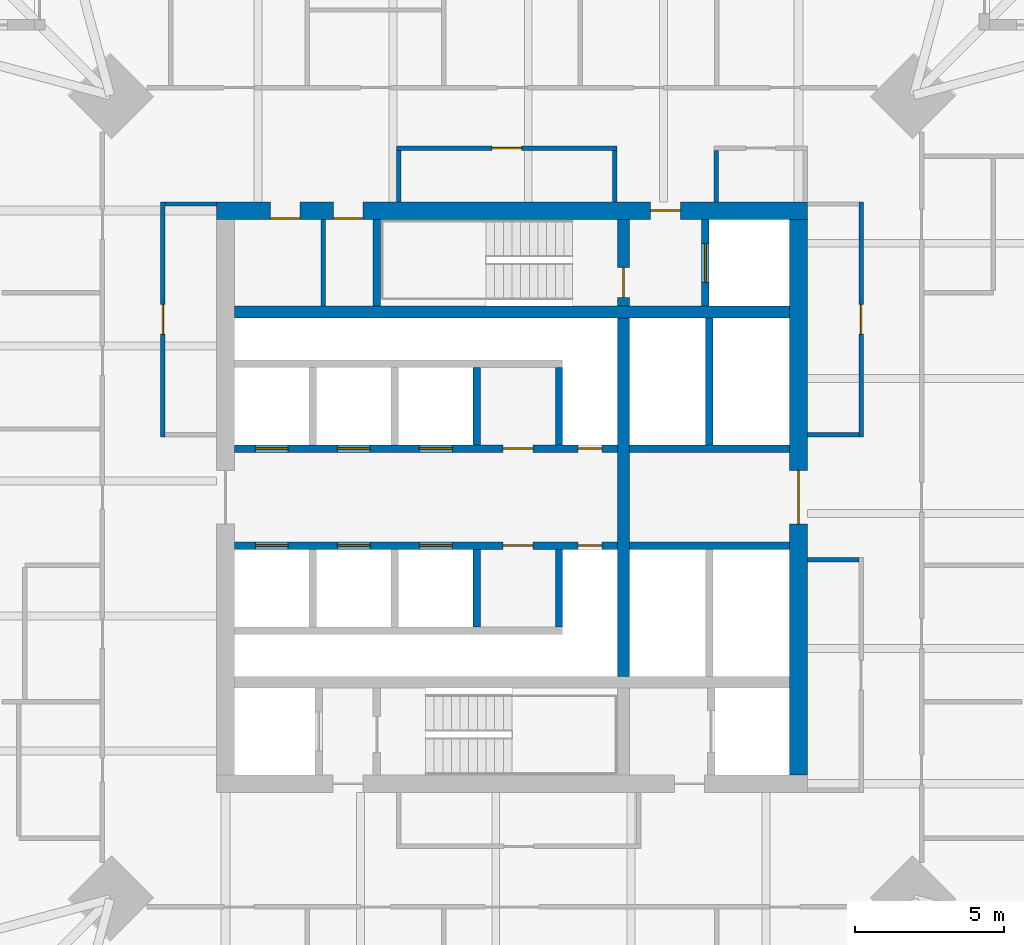
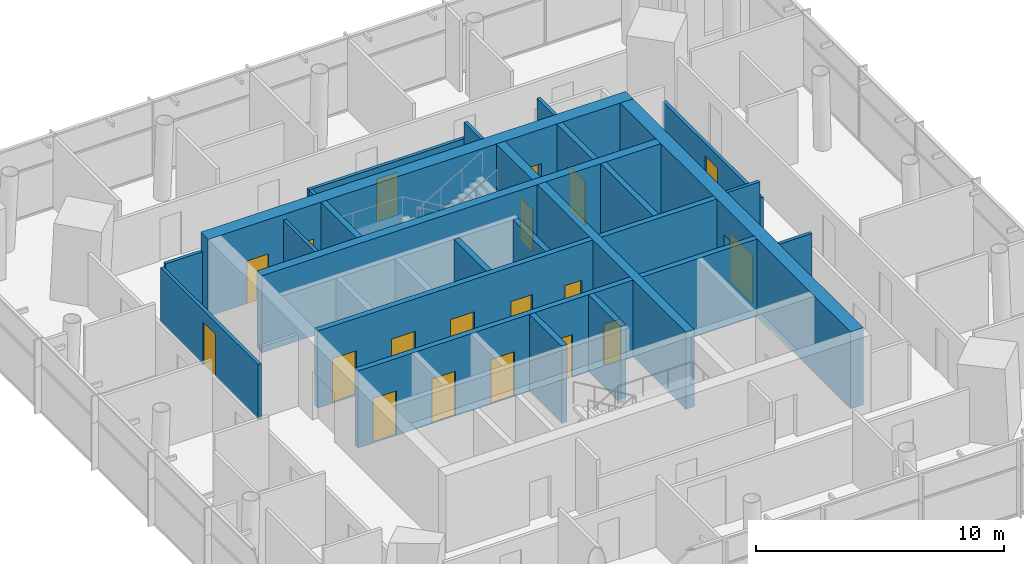
# One storey, part 7 of 10: 26 walls, 19 doors, 19 openings.
"""IFC4 building model written with IfcOpenShell, lengths in metres."""

from ifc_helpers import new_model, si_unit, direction, frame, frame_2d, origin, place, context, subcontext, project, spatial, rectangle, extrude, material, layer, layer_set, type_object, element, fill, save


model = new_model("IFC4")

# Units and contexts
model_context = context("Model", 3, precision=1e-05, world=origin(), true_north=direction((0.0, 1.0)))
body_context = subcontext(model_context, "Body", "Model", "MODEL_VIEW")
ifc_project = project(units=[si_unit("LENGTHUNIT", "METRE"), si_unit("AREAUNIT", "SQUARE_METRE"), si_unit("VOLUMEUNIT", "CUBIC_METRE"), si_unit("PLANEANGLEUNIT", "RADIAN"), si_unit("MASSUNIT", "GRAM", prefix="KILO")], contexts=[model_context])

# Site, building, storey
site_placement = place(None, origin())
site = spatial("IfcSite", under=ifc_project, at=site_placement, CompositionType="ELEMENT")
building_placement = place(site_placement, origin())
building = spatial("IfcBuilding", under=site, at=building_placement, Name="Ostroluk Exchange", CompositionType="ELEMENT")
storey_placement = place(building_placement, frame((0.0, 0.0, 222.39990234375)))
storey = spatial("IfcBuildingStorey", under=building, at=storey_placement, Name="L57", CompositionType="ELEMENT", Elevation=222.39990234375)

# Walls
ifc_material_1 = material(Name="Concrete blockwork", Category="masonry")
ifc_layer_1 = layer(ifc_material_1, 0.14990234375)
ifc_layer_set_1 = layer_set([ifc_layer_1], Name="Blockwork plant room wall 150")
wall_type_1 = type_object("IfcWallType", Name="Blockwork plant room wall 150", PredefinedType="SOLIDWALL", material=ifc_layer_set_1)
wall_1_placement = place(storey_placement, frame((38.676025390625, 52.39990234375, 0.0), z_axis=(0.0, 0.0, 1.0), x_axis=(0.0, 1.0, 0.0)))
element("IfcWall", 1, at=wall_1_placement, inside=storey, type_object=wall_type_1, Name="Core room wall", PredefinedType="SOLIDWALL", context=body_context, shape_type="SweptSolid", body=[
    extrude(rectangle(XDim=2.900146484375, YDim=0.14990234375, at=frame_2d((1.4501953125, 0.0))), origin(), (0.0, 0.0, 1.0), 3.52001953125),
])
ifc_material_2 = material(Name="Concrete C50/60", Category="concrete")
ifc_layer_2 = layer(ifc_material_2, 0.39990234375)
ifc_layer_set_2 = layer_set([ifc_layer_2], Name="Core cross wall 400 C50/60")
wall_type_2 = type_object("IfcWallType", Name="Core cross wall 400 C50/60", PredefinedType="SHEAR", material=ifc_layer_set_2)
wall_2_placement = place(storey_placement, frame((35.699951171875, 52.199951171875, 0.0), z_axis=(0.0, 0.0, 1.0), x_axis=(1.0, 0.0, 0.0)))
element("IfcWall", 2, at=wall_2_placement, inside=storey, type_object=wall_type_2, Name="T1 core wall XN", PredefinedType="SHEAR", context=body_context, shape_type="SweptSolid", body=[
    extrude(rectangle(XDim=18.60009765625, YDim=0.39990234375, at=frame_2d((9.300048828125, 0.0))), origin(), (0.0, 0.0, 1.0), 3.800048828125),
])
wall_3_placement = place(storey_placement, frame((48.72998046875, 40.0, 0.0), z_axis=(0.0, 0.0, 1.0), x_axis=(0.0, 1.0, 0.0)))
element("IfcWall", 3, at=wall_3_placement, inside=storey, type_object=wall_type_2, Name="T1 core wall YE2", PredefinedType="SHEAR", context=body_context, shape_type="SweptSolid", body=[
    extrude(rectangle(XDim=12.0, YDim=0.39990234375, at=frame_2d((6.0, 0.0))), origin(), (0.0, 0.0, 1.0), 3.800048828125),
])

# Wall, opening, door
wall_4_placement = place(storey_placement, frame((48.72998046875, 52.39990234375, 0.0), z_axis=(0.0, 0.0, 1.0), x_axis=(0.0, 1.0, 0.0)))
wall_4 = element("IfcWall", 4, at=wall_4_placement, inside=storey, type_object=wall_type_2, Name="T1 core wall YE3", PredefinedType="SHEAR", context=body_context, shape_type="SweptSolid", body=[
    extrude(rectangle(XDim=2.900146484375, YDim=0.39990234375, at=frame_2d((1.4501953125, 0.0))), origin(), (0.0, 0.0, 1.0), 3.800048828125),
])
opening_1_placement = place(wall_4_placement, frame((0.300048828125, 0.0, 0.0)))
opening_1 = element("IfcOpeningElement", 5, at=opening_1_placement, cuts=wall_4, Name="Opening FD60", PredefinedType="OPENING", context=body_context, shape_type="SweptSolid", body=[
    extrude(rectangle(XDim=1.0, YDim=2.10009765625, at=frame_2d((0.5, 1.050048828125))), frame((0.0, 0.2099609375, 0.0), z_axis=(0.0, -1.0, 0.0), x_axis=(1.0, 0.0, 0.0)), (0.0, 0.0, 1.0), 0.419921875),
])
ifc_material_3 = material(Name="Steel", Category="steel")
door_type_1 = type_object("IfcDoorType", Name="Fire door EI 60 1000 x 2100", OperationType="SINGLE_SWING_LEFT", PredefinedType="DOOR", material=ifc_material_3)
door_1_placement = place(opening_1_placement, origin())
door_1 = element("IfcDoor", 6, at=door_1_placement, inside=storey, type_object=door_type_1, Name="Stair T1-S2 door", OperationType="SINGLE_SWING_LEFT", OverallHeight=2.10009765625, OverallWidth=1.0, PredefinedType="DOOR", context=body_context, shape_type="SweptSolid", body=[
    extrude(rectangle(XDim=1.0, YDim=2.10009765625, at=frame_2d((0.5, 1.050048828125))), frame((0.0, 0.02490234375, 0.0), z_axis=(0.0, -1.0, 0.0), x_axis=(1.0, 0.0, 0.0)), (0.0, 0.0, 1.0), 0.050048828125),
])
fill(opening_1, door_1)

# Wall
ifc_material_4 = material(Name="Concrete C40/50", Category="concrete")
ifc_layer_3 = layer(ifc_material_4, 0.25)
ifc_layer_set_3 = layer_set([ifc_layer_3], Name="Core shaft wall 250")
wall_type_3 = type_object("IfcWallType", Name="Core shaft wall 250", PredefinedType="SHEAR", material=ifc_layer_set_3)
wall_5_placement = place(storey_placement, frame((40.47509765625, 52.39990234375, 0.0), z_axis=(0.0, 0.0, 1.0), x_axis=(0.0, 1.0, 0.0)))
element("IfcWall", 7, at=wall_5_placement, inside=storey, type_object=wall_type_3, Name="Stair shaft wall", PredefinedType="SHEAR", context=body_context, shape_type="SweptSolid", body=[
    extrude(rectangle(XDim=2.900146484375, YDim=0.25, at=frame_2d((1.4501953125, 0.0))), origin(), (0.0, 0.0, 1.0), 3.800048828125),
])

# Wall, opening, door
wall_6_placement = place(storey_placement, frame((51.47509765625, 52.39990234375, 0.0), z_axis=(0.0, 0.0, 1.0), x_axis=(0.0, 1.0, 0.0)))
wall_6 = element("IfcWall", 8, at=wall_6_placement, inside=storey, type_object=wall_type_3, Name="Firefighting lift shaft wall", PredefinedType="SHEAR", context=body_context, shape_type="SweptSolid", body=[
    extrude(rectangle(XDim=2.900146484375, YDim=0.25, at=frame_2d((1.4501953125, 0.0))), origin(), (0.0, 0.0, 1.0), 3.800048828125),
])
opening_2_placement = place(wall_6_placement, frame((0.800048828125, 0.0, 0.0)))
opening_2 = element("IfcOpeningElement", 9, at=opening_2_placement, cuts=wall_6, Name="Opening LD2", PredefinedType="OPENING", context=body_context, shape_type="SweptSolid", body=[
    extrude(rectangle(XDim=1.300048828125, YDim=2.199951171875, at=frame_2d((0.64990234375, 1.10009765625))), frame((0.0, 0.135009765625, 0.0), z_axis=(0.0, -1.0, 0.0), x_axis=(1.0, 0.0, 0.0)), (0.0, 0.0, 1.0), 0.27001953125),
])
ifc_material_5 = material(Name="Stainless steel", Category="steel")
door_type_2 = type_object("IfcDoorType", Name="Lift landing door E 60 1300 x 2200", OperationType="DOUBLE_DOOR_SLIDING", PredefinedType="DOOR", material=ifc_material_5)
door_2_placement = place(opening_2_placement, origin())
door_2 = element("IfcDoor", 10, at=door_2_placement, inside=storey, type_object=door_type_2, Name="Lift FL2 landing door", OperationType="DOUBLE_DOOR_SLIDING", OverallHeight=2.199951171875, OverallWidth=1.300048828125, PredefinedType="DOOR", context=body_context, shape_type="SweptSolid", body=[
    extrude(rectangle(XDim=1.300048828125, YDim=2.199951171875, at=frame_2d((0.64990234375, 1.10009765625))), frame((0.0, 0.02490234375, 0.0), z_axis=(0.0, -1.0, 0.0), x_axis=(1.0, 0.0, 0.0)), (0.0, 0.0, 1.0), 0.050048828125),
])
fill(opening_2, door_2)

# Walls
for number, where, z_axis, x_axis, name in (
    (11, (43.824951171875, 47.75, 0.0), (0.0, 0.0, 1.0), (0.0, 1.0, 0.0), "Lift shaft wall"),
    (12, (46.574951171875, 47.75, 0.0), (0.0, 0.0, 1.0), (0.0, 1.0, 0.0), "Lift shaft wall"),
):
    element("IfcWall", number, at=place(storey_placement, frame(where, z_axis=z_axis, x_axis=x_axis)), inside=storey, type_object=wall_type_3, Name=name, PredefinedType="SHEAR", context=body_context, shape_type="SweptSolid", body=[
        extrude(rectangle(XDim=2.60009765625, YDim=0.25, at=frame_2d((1.300048828125, 0.0))), origin(), (0.0, 0.0, 1.0), 3.800048828125),
    ])

# Wall, openings, doors
wall_7_placement = place(storey_placement, frame((35.699951171875, 47.625, 0.0), z_axis=(0.0, 0.0, 1.0), x_axis=(1.0, 0.0, 0.0)))
wall_7 = element("IfcWall", 13, at=wall_7_placement, inside=storey, type_object=wall_type_3, Name="Lift shaft front wall", PredefinedType="SHEAR", context=body_context, shape_type="SweptSolid", body=[
    extrude(rectangle(XDim=12.830078125, YDim=0.25, at=frame_2d((6.4150390625, 0.0))), origin(), (0.0, 0.0, 1.0), 3.800048828125),
])
opening_3_placement = place(wall_7_placement, frame((0.699951171875, 0.0, 0.0)))
opening_3 = element("IfcOpeningElement", 14, at=opening_3_placement, cuts=wall_7, Name="Opening LD", PredefinedType="OPENING", context=body_context, shape_type="SweptSolid", body=[
    extrude(rectangle(XDim=1.10009765625, YDim=2.199951171875, at=frame_2d((0.550048828125, 1.10009765625))), frame((0.0, 0.135009765625, 0.0), z_axis=(0.0, -1.0, 0.0), x_axis=(1.0, 0.0, 0.0)), (0.0, 0.0, 1.0), 0.27001953125),
])
opening_4_placement = place(wall_7_placement, frame((3.449951171875, 0.0, 0.0)))
opening_4 = element("IfcOpeningElement", 15, at=opening_4_placement, cuts=wall_7, Name="Opening LD", PredefinedType="OPENING", context=body_context, shape_type="SweptSolid", body=[
    extrude(rectangle(XDim=1.10009765625, YDim=2.199951171875, at=frame_2d((0.550048828125, 1.10009765625))), frame((0.0, 0.135009765625, 0.0), z_axis=(0.0, -1.0, 0.0), x_axis=(1.0, 0.0, 0.0)), (0.0, 0.0, 1.0), 0.27001953125),
])
opening_5_placement = place(wall_7_placement, frame((6.199951171875, 0.0, 0.0)))
opening_5 = element("IfcOpeningElement", 16, at=opening_5_placement, cuts=wall_7, Name="Opening LD", PredefinedType="OPENING", context=body_context, shape_type="SweptSolid", body=[
    extrude(rectangle(XDim=1.10009765625, YDim=2.199951171875, at=frame_2d((0.550048828125, 1.10009765625))), frame((0.0, 0.135009765625, 0.0), z_axis=(0.0, -1.0, 0.0), x_axis=(1.0, 0.0, 0.0)), (0.0, 0.0, 1.0), 0.27001953125),
])
opening_6_placement = place(wall_7_placement, frame((9.0, 0.0, 0.0)))
opening_6 = element("IfcOpeningElement", 17, at=opening_6_placement, cuts=wall_7, Name="Opening FD60", PredefinedType="OPENING", context=body_context, shape_type="SweptSolid", body=[
    extrude(rectangle(XDim=1.0, YDim=2.10009765625, at=frame_2d((0.5, 1.050048828125))), frame((0.0, 0.135009765625, 0.0), z_axis=(0.0, -1.0, 0.0), x_axis=(1.0, 0.0, 0.0)), (0.0, 0.0, 1.0), 0.27001953125),
])
opening_7_placement = place(wall_7_placement, frame((11.514892578125, 0.0, 0.0)))
opening_7 = element("IfcOpeningElement", 18, at=opening_7_placement, cuts=wall_7, Name="Opening RD60", PredefinedType="OPENING", context=body_context, shape_type="SweptSolid", body=[
    extrude(rectangle(XDim=0.800048828125, YDim=2.0, at=frame_2d((0.39990234375, 1.0))), frame((0.0, 0.135009765625, 0.0), z_axis=(0.0, -1.0, 0.0), x_axis=(1.0, 0.0, 0.0)), (0.0, 0.0, 1.0), 0.27001953125),
])
door_3_placement = place(opening_6_placement, origin())
door_3 = element("IfcDoor", 19, at=door_3_placement, inside=storey, type_object=door_type_1, Name="Core room door", OperationType="SINGLE_SWING_RIGHT", OverallHeight=2.10009765625, OverallWidth=1.0, PredefinedType="DOOR", context=body_context, shape_type="SweptSolid", body=[
    extrude(rectangle(XDim=1.0, YDim=2.10009765625, at=frame_2d((0.5, 1.050048828125))), frame((0.0, 0.02490234375, 0.0), z_axis=(0.0, -1.0, 0.0), x_axis=(1.0, 0.0, 0.0)), (0.0, 0.0, 1.0), 0.050048828125),
])
fill(opening_6, door_3)
ifc_material_6 = material(Name="Stainless steel", Category="steel")
door_type_3 = type_object("IfcDoorType", Name="Lift landing door E 60 1100 x 2200", OperationType="DOUBLE_DOOR_SLIDING", PredefinedType="DOOR", material=ifc_material_6)
door_4_placement = place(opening_3_placement, origin())
door_4 = element("IfcDoor", 20, at=door_4_placement, inside=storey, type_object=door_type_3, Name="Lift PL-H1 landing door", OperationType="DOUBLE_DOOR_SLIDING", OverallHeight=2.199951171875, OverallWidth=1.10009765625, PredefinedType="DOOR", context=body_context, shape_type="SweptSolid", body=[
    extrude(rectangle(XDim=1.10009765625, YDim=2.199951171875, at=frame_2d((0.550048828125, 1.10009765625))), frame((0.0, 0.02490234375, 0.0), z_axis=(0.0, -1.0, 0.0), x_axis=(1.0, 0.0, 0.0)), (0.0, 0.0, 1.0), 0.050048828125),
])
fill(opening_3, door_4)
door_5_placement = place(opening_4_placement, origin())
door_5 = element("IfcDoor", 21, at=door_5_placement, inside=storey, type_object=door_type_3, Name="Lift PL-H2 landing door", OperationType="DOUBLE_DOOR_SLIDING", OverallHeight=2.199951171875, OverallWidth=1.10009765625, PredefinedType="DOOR", context=body_context, shape_type="SweptSolid", body=[
    extrude(rectangle(XDim=1.10009765625, YDim=2.199951171875, at=frame_2d((0.550048828125, 1.10009765625))), frame((0.0, 0.02490234375, 0.0), z_axis=(0.0, -1.0, 0.0), x_axis=(1.0, 0.0, 0.0)), (0.0, 0.0, 1.0), 0.050048828125),
])
fill(opening_4, door_5)
door_6_placement = place(opening_5_placement, origin())
door_6 = element("IfcDoor", 22, at=door_6_placement, inside=storey, type_object=door_type_3, Name="Lift PL-H3 landing door", OperationType="DOUBLE_DOOR_SLIDING", OverallHeight=2.199951171875, OverallWidth=1.10009765625, PredefinedType="DOOR", context=body_context, shape_type="SweptSolid", body=[
    extrude(rectangle(XDim=1.10009765625, YDim=2.199951171875, at=frame_2d((0.550048828125, 1.10009765625))), frame((0.0, 0.02490234375, 0.0), z_axis=(0.0, -1.0, 0.0), x_axis=(1.0, 0.0, 0.0)), (0.0, 0.0, 1.0), 0.050048828125),
])
fill(opening_5, door_6)
ifc_material_7 = material(Name="Steel", Category="steel")
door_type_4 = type_object("IfcDoorType", Name="Riser access door EI 60 800 x 2000", OperationType="SINGLE_SWING_LEFT", PredefinedType="DOOR", material=ifc_material_7)
door_7_placement = place(opening_7_placement, origin())
door_7 = element("IfcDoor", 23, at=door_7_placement, inside=storey, type_object=door_type_4, Name="Riser access door", OperationType="SINGLE_SWING_RIGHT", OverallHeight=2.0, OverallWidth=0.800048828125, PredefinedType="DOOR", context=body_context, shape_type="SweptSolid", body=[
    extrude(rectangle(XDim=0.800048828125, YDim=2.0, at=frame_2d((0.39990234375, 1.0))), frame((0.0, 0.02490234375, 0.0), z_axis=(0.0, -1.0, 0.0), x_axis=(1.0, 0.0, 0.0)), (0.0, 0.0, 1.0), 0.050048828125),
])
fill(opening_7, door_7)

# Walls
for number, where, z_axis, x_axis, name in (
    (24, (43.824951171875, 44.25, 0.0), (0.0, 0.0, 1.0), (0.0, -1.0, 0.0), "Lift shaft wall"),
    (25, (46.574951171875, 44.25, 0.0), (0.0, 0.0, 1.0), (0.0, -1.0, 0.0), "Lift shaft wall"),
):
    element("IfcWall", number, at=place(storey_placement, frame(where, z_axis=z_axis, x_axis=x_axis)), inside=storey, type_object=wall_type_3, Name=name, PredefinedType="SHEAR", context=body_context, shape_type="SweptSolid", body=[
        extrude(rectangle(XDim=2.60009765625, YDim=0.25, at=frame_2d((1.300048828125, 0.0))), origin(), (0.0, 0.0, 1.0), 3.800048828125),
    ])

# Wall, openings, doors
wall_8_placement = place(storey_placement, frame((35.699951171875, 44.375, 0.0), z_axis=(0.0, 0.0, 1.0), x_axis=(1.0, 0.0, 0.0)))
wall_8 = element("IfcWall", 26, at=wall_8_placement, inside=storey, type_object=wall_type_3, Name="Lift shaft front wall", PredefinedType="SHEAR", context=body_context, shape_type="SweptSolid", body=[
    extrude(rectangle(XDim=12.830078125, YDim=0.25, at=frame_2d((6.4150390625, 0.0))), origin(), (0.0, 0.0, 1.0), 3.800048828125),
])
opening_8_placement = place(wall_8_placement, frame((0.699951171875, 0.0, 0.0)))
opening_8 = element("IfcOpeningElement", 27, at=opening_8_placement, cuts=wall_8, Name="Opening LD", PredefinedType="OPENING", context=body_context, shape_type="SweptSolid", body=[
    extrude(rectangle(XDim=1.10009765625, YDim=2.199951171875, at=frame_2d((0.550048828125, 1.10009765625))), frame((0.0, 0.135009765625, 0.0), z_axis=(0.0, -1.0, 0.0), x_axis=(1.0, 0.0, 0.0)), (0.0, 0.0, 1.0), 0.27001953125),
])
opening_9_placement = place(wall_8_placement, frame((3.449951171875, 0.0, 0.0)))
opening_9 = element("IfcOpeningElement", 28, at=opening_9_placement, cuts=wall_8, Name="Opening LD", PredefinedType="OPENING", context=body_context, shape_type="SweptSolid", body=[
    extrude(rectangle(XDim=1.10009765625, YDim=2.199951171875, at=frame_2d((0.550048828125, 1.10009765625))), frame((0.0, 0.135009765625, 0.0), z_axis=(0.0, -1.0, 0.0), x_axis=(1.0, 0.0, 0.0)), (0.0, 0.0, 1.0), 0.27001953125),
])
opening_10_placement = place(wall_8_placement, frame((6.199951171875, 0.0, 0.0)))
opening_10 = element("IfcOpeningElement", 29, at=opening_10_placement, cuts=wall_8, Name="Opening LD", PredefinedType="OPENING", context=body_context, shape_type="SweptSolid", body=[
    extrude(rectangle(XDim=1.10009765625, YDim=2.199951171875, at=frame_2d((0.550048828125, 1.10009765625))), frame((0.0, 0.135009765625, 0.0), z_axis=(0.0, -1.0, 0.0), x_axis=(1.0, 0.0, 0.0)), (0.0, 0.0, 1.0), 0.27001953125),
])
opening_11_placement = place(wall_8_placement, frame((9.0, 0.0, 0.0)))
opening_11 = element("IfcOpeningElement", 30, at=opening_11_placement, cuts=wall_8, Name="Opening FD60", PredefinedType="OPENING", context=body_context, shape_type="SweptSolid", body=[
    extrude(rectangle(XDim=1.0, YDim=2.10009765625, at=frame_2d((0.5, 1.050048828125))), frame((0.0, 0.135009765625, 0.0), z_axis=(0.0, -1.0, 0.0), x_axis=(1.0, 0.0, 0.0)), (0.0, 0.0, 1.0), 0.27001953125),
])
opening_12_placement = place(wall_8_placement, frame((11.514892578125, 0.0, 0.0)))
opening_12 = element("IfcOpeningElement", 31, at=opening_12_placement, cuts=wall_8, Name="Opening RD60", PredefinedType="OPENING", context=body_context, shape_type="SweptSolid", body=[
    extrude(rectangle(XDim=0.800048828125, YDim=2.0, at=frame_2d((0.39990234375, 1.0))), frame((0.0, 0.135009765625, 0.0), z_axis=(0.0, -1.0, 0.0), x_axis=(1.0, 0.0, 0.0)), (0.0, 0.0, 1.0), 0.27001953125),
])
door_8_placement = place(opening_11_placement, origin())
door_8 = element("IfcDoor", 32, at=door_8_placement, inside=storey, type_object=door_type_1, Name="Core room door", OperationType="SINGLE_SWING_RIGHT", OverallHeight=2.10009765625, OverallWidth=1.0, PredefinedType="DOOR", context=body_context, shape_type="SweptSolid", body=[
    extrude(rectangle(XDim=1.0, YDim=2.10009765625, at=frame_2d((0.5, 1.050048828125))), frame((0.0, 0.02490234375, 0.0), z_axis=(0.0, -1.0, 0.0), x_axis=(1.0, 0.0, 0.0)), (0.0, 0.0, 1.0), 0.050048828125),
])
fill(opening_11, door_8)
door_9_placement = place(opening_8_placement, origin())
door_9 = element("IfcDoor", 33, at=door_9_placement, inside=storey, type_object=door_type_3, Name="Lift PL-H4 landing door", OperationType="DOUBLE_DOOR_SLIDING", OverallHeight=2.199951171875, OverallWidth=1.10009765625, PredefinedType="DOOR", context=body_context, shape_type="SweptSolid", body=[
    extrude(rectangle(XDim=1.10009765625, YDim=2.199951171875, at=frame_2d((0.550048828125, 1.10009765625))), frame((0.0, 0.02490234375, 0.0), z_axis=(0.0, -1.0, 0.0), x_axis=(1.0, 0.0, 0.0)), (0.0, 0.0, 1.0), 0.050048828125),
])
fill(opening_8, door_9)
door_10_placement = place(opening_9_placement, origin())
door_10 = element("IfcDoor", 34, at=door_10_placement, inside=storey, type_object=door_type_3, Name="Lift PL-H5 landing door", OperationType="DOUBLE_DOOR_SLIDING", OverallHeight=2.199951171875, OverallWidth=1.10009765625, PredefinedType="DOOR", context=body_context, shape_type="SweptSolid", body=[
    extrude(rectangle(XDim=1.10009765625, YDim=2.199951171875, at=frame_2d((0.550048828125, 1.10009765625))), frame((0.0, 0.02490234375, 0.0), z_axis=(0.0, -1.0, 0.0), x_axis=(1.0, 0.0, 0.0)), (0.0, 0.0, 1.0), 0.050048828125),
])
fill(opening_9, door_10)
door_11_placement = place(opening_10_placement, origin())
door_11 = element("IfcDoor", 35, at=door_11_placement, inside=storey, type_object=door_type_3, Name="Lift PL-H6 landing door", OperationType="DOUBLE_DOOR_SLIDING", OverallHeight=2.199951171875, OverallWidth=1.10009765625, PredefinedType="DOOR", context=body_context, shape_type="SweptSolid", body=[
    extrude(rectangle(XDim=1.10009765625, YDim=2.199951171875, at=frame_2d((0.550048828125, 1.10009765625))), frame((0.0, 0.02490234375, 0.0), z_axis=(0.0, -1.0, 0.0), x_axis=(1.0, 0.0, 0.0)), (0.0, 0.0, 1.0), 0.050048828125),
])
fill(opening_10, door_11)
door_12_placement = place(opening_12_placement, origin())
door_12 = element("IfcDoor", 36, at=door_12_placement, inside=storey, type_object=door_type_4, Name="Riser access door", OperationType="SINGLE_SWING_RIGHT", OverallHeight=2.0, OverallWidth=0.800048828125, PredefinedType="DOOR", context=body_context, shape_type="SweptSolid", body=[
    extrude(rectangle(XDim=0.800048828125, YDim=2.0, at=frame_2d((0.39990234375, 1.0))), frame((0.0, 0.02490234375, 0.0), z_axis=(0.0, -1.0, 0.0), x_axis=(1.0, 0.0, 0.0)), (0.0, 0.0, 1.0), 0.050048828125),
])
fill(opening_12, door_12)

# Walls
wall_9_placement = place(storey_placement, frame((51.614990234375, 47.75, 0.0), z_axis=(0.0, 0.0, 1.0), x_axis=(0.0, 1.0, 0.0)))
element("IfcWall", 37, at=wall_9_placement, inside=storey, type_object=wall_type_3, Name="Lift shaft wall", PredefinedType="SHEAR", context=body_context, shape_type="SweptSolid", body=[
    extrude(rectangle(XDim=4.25, YDim=0.25, at=frame_2d((2.125, 0.0))), origin(), (0.0, 0.0, 1.0), 3.800048828125),
])
for number, where, z_axis, x_axis, name in (
    (38, (48.929931640625, 47.625, 0.0), (0.0, 0.0, 1.0), (1.0, 0.0, 0.0), "Lift shaft front wall"),
    (39, (48.929931640625, 44.375, 0.0), (0.0, 0.0, 1.0), (1.0, 0.0, 0.0), "Lift shaft front wall"),
):
    element("IfcWall", number, at=place(storey_placement, frame(where, z_axis=z_axis, x_axis=x_axis)), inside=storey, type_object=wall_type_3, Name=name, PredefinedType="SHEAR", context=body_context, shape_type="SweptSolid", body=[
        extrude(rectangle(XDim=5.3701171875, YDim=0.25, at=frame_2d((2.68505859375, 0.0))), origin(), (0.0, 0.0, 1.0), 3.800048828125),
    ])

# Wall, openings, doors
ifc_material_8 = material(Name="Concrete C50/60", Category="concrete")
ifc_layer_4 = layer(ifc_material_8, 0.60009765625)
ifc_layer_set_4 = layer_set([ifc_layer_4], Name="Core wall 600 C50/60")
wall_type_4 = type_object("IfcWallType", Name="Core wall 600 C50/60", PredefinedType="SHEAR", material=ifc_layer_set_4)
wall_10_placement = place(storey_placement, frame((35.10009765625, 55.60009765625, 0.0), z_axis=(0.0, 0.0, 1.0), x_axis=(1.0, 0.0, 0.0)))
wall_10 = element("IfcWall", 40, at=wall_10_placement, inside=storey, type_object=wall_type_4, Name="T1 core wall N", PredefinedType="SHEAR", context=body_context, shape_type="SweptSolid", body=[
    extrude(rectangle(XDim=19.7998046875, YDim=0.60009765625, at=frame_2d((9.89990234375, 0.0))), origin(), (0.0, 0.0, 1.0), 3.800048828125),
])
opening_13_placement = place(wall_10_placement, frame((14.5400390625, 0.0, 0.0)))
opening_13 = element("IfcOpeningElement", 41, at=opening_13_placement, cuts=wall_10, Name="Opening FD60", PredefinedType="OPENING", context=body_context, shape_type="SweptSolid", body=[
    extrude(rectangle(XDim=1.0, YDim=2.10009765625, at=frame_2d((0.5, 1.050048828125))), frame((0.0, 0.31005859375, 0.0), z_axis=(0.0, -1.0, 0.0), x_axis=(1.0, 0.0, 0.0)), (0.0, 0.0, 1.0), 0.6201171875),
])
opening_14_placement = place(wall_10_placement, frame((1.800048828125, 0.0, 0.0)))
opening_14 = element("IfcOpeningElement", 42, at=opening_14_placement, cuts=wall_10, Name="Opening FD60", PredefinedType="OPENING", context=body_context, shape_type="SweptSolid", body=[
    extrude(rectangle(XDim=1.0, YDim=2.10009765625, at=frame_2d((0.5, 1.050048828125))), frame((0.0, 0.31005859375, 0.0), z_axis=(0.0, -1.0, 0.0), x_axis=(1.0, 0.0, 0.0)), (0.0, 0.0, 1.0), 0.6201171875),
])
opening_15_placement = place(wall_10_placement, frame((3.9130859375, 0.0, 0.0)))
opening_15 = element("IfcOpeningElement", 43, at=opening_15_placement, cuts=wall_10, Name="Opening FD60", PredefinedType="OPENING", context=body_context, shape_type="SweptSolid", body=[
    extrude(rectangle(XDim=1.0, YDim=2.10009765625, at=frame_2d((0.5, 1.050048828125))), frame((0.0, 0.31005859375, 0.0), z_axis=(0.0, -1.0, 0.0), x_axis=(1.0, 0.0, 0.0)), (0.0, 0.0, 1.0), 0.6201171875),
])
door_13_placement = place(opening_13_placement, origin())
door_13 = element("IfcDoor", 44, at=door_13_placement, inside=storey, type_object=door_type_1, Name="Firefighting lobby door", OperationType="SINGLE_SWING_RIGHT", OverallHeight=2.10009765625, OverallWidth=1.0, PredefinedType="DOOR", context=body_context, shape_type="SweptSolid", body=[
    extrude(rectangle(XDim=1.0, YDim=2.10009765625, at=frame_2d((0.5, 1.050048828125))), frame((0.0, 0.02490234375, 0.0), z_axis=(0.0, -1.0, 0.0), x_axis=(1.0, 0.0, 0.0)), (0.0, 0.0, 1.0), 0.050048828125),
])
fill(opening_13, door_13)
door_14_placement = place(opening_14_placement, origin())
door_14 = element("IfcDoor", 45, at=door_14_placement, inside=storey, type_object=door_type_1, Name="Tea point door", OperationType="SINGLE_SWING_LEFT", OverallHeight=2.10009765625, OverallWidth=1.0, PredefinedType="DOOR", context=body_context, shape_type="SweptSolid", body=[
    extrude(rectangle(XDim=1.0, YDim=2.10009765625, at=frame_2d((0.5, 1.050048828125))), frame((0.0, -0.23974609375, 0.0), z_axis=(0.0, -1.0, 0.0), x_axis=(1.0, 0.0, 0.0)), (0.0, 0.0, 1.0), 0.050048828125),
])
fill(opening_14, door_14)
door_15_placement = place(opening_15_placement, origin())
door_15 = element("IfcDoor", 46, at=door_15_placement, inside=storey, type_object=door_type_1, Name="Cleaner's store door", OperationType="SINGLE_SWING_LEFT", OverallHeight=2.10009765625, OverallWidth=1.0, PredefinedType="DOOR", context=body_context, shape_type="SweptSolid", body=[
    extrude(rectangle(XDim=1.0, YDim=2.10009765625, at=frame_2d((0.5, 1.050048828125))), frame((0.0, -0.23974609375, 0.0), z_axis=(0.0, -1.0, 0.0), x_axis=(1.0, 0.0, 0.0)), (0.0, 0.0, 1.0), 0.050048828125),
])
fill(opening_15, door_15)

# Wall, opening, door
wall_11_placement = place(storey_placement, frame((54.60009765625, 36.699951171875, 0.0), z_axis=(0.0, 0.0, 1.0), x_axis=(0.0, 1.0, 0.0)))
wall_11 = element("IfcWall", 47, at=wall_11_placement, inside=storey, type_object=wall_type_4, Name="T1 core wall E", PredefinedType="SHEAR", context=body_context, shape_type="SweptSolid", body=[
    extrude(rectangle(XDim=18.60009765625, YDim=0.60009765625, at=frame_2d((9.300048828125, 0.0))), origin(), (0.0, 0.0, 1.0), 3.800048828125),
])
opening_16_placement = place(wall_11_placement, frame((8.39990234375, 0.0, 0.0)))
opening_16 = element("IfcOpeningElement", 48, at=opening_16_placement, cuts=wall_11, Name="Opening FD30D", PredefinedType="OPENING", context=body_context, shape_type="SweptSolid", body=[
    extrude(rectangle(XDim=1.800048828125, YDim=2.39990234375, at=frame_2d((0.89990234375, 1.199951171875))), frame((0.0, 0.31005859375, 0.0), z_axis=(0.0, -1.0, 0.0), x_axis=(1.0, 0.0, 0.0)), (0.0, 0.0, 1.0), 0.6201171875),
])
ifc_material_9 = material(Name="Timber", Category="wood")
door_type_5 = type_object("IfcDoorType", Name="Lobby double door EI 30 1800 x 2400", OperationType="DOUBLE_DOOR_SINGLE_SWING", PredefinedType="DOOR", material=ifc_material_9)
door_16_placement = place(opening_16_placement, origin())
door_16 = element("IfcDoor", 49, at=door_16_placement, inside=storey, type_object=door_type_5, Name="Lift lobby doors", OperationType="DOUBLE_DOOR_SINGLE_SWING", OverallHeight=2.39990234375, OverallWidth=1.800048828125, PredefinedType="DOOR", context=body_context, shape_type="SweptSolid", body=[
    extrude(rectangle(XDim=1.800048828125, YDim=2.39990234375, at=frame_2d((0.89990234375, 1.199951171875))), frame((0.0, 0.02490234375, 0.0), z_axis=(0.0, -1.0, 0.0), x_axis=(1.0, 0.0, 0.0)), (0.0, 0.0, 1.0), 0.050048828125),
])
fill(opening_16, door_16)

# Wall
ifc_material_10 = material(Name="Gypsum plasterboard partition", Category="gypsum")
ifc_layer_5 = layer(ifc_material_10, 0.14990234375)
ifc_layer_set_5 = layer_set([ifc_layer_5], Name="Plasterboard partition 150")
wall_type_5 = type_object("IfcWallType", Name="Plasterboard partition 150", PredefinedType="PARTITIONING", material=ifc_layer_set_5)
wall_12_placement = place(storey_placement, frame((54.89990234375, 43.89990234375, 0.0), z_axis=(0.0, 0.0, 1.0), x_axis=(1.0, 0.0, 0.0)))
element("IfcWall", 50, at=wall_12_placement, inside=storey, type_object=wall_type_5, Name="Partition", PredefinedType="PARTITIONING", context=body_context, shape_type="SweptSolid", body=[
    extrude(rectangle(XDim=1.72509765625, YDim=0.14990234375, at=frame_2d((0.862548828125, 0.0))), origin(), (0.0, 0.0, 1.0), 3.52001953125),
])

# Wall, opening, door
wall_13_placement = place(storey_placement, frame((56.699951171875, 48.02490234375, 0.0), z_axis=(0.0, 0.0, 1.0), x_axis=(0.0, 1.0, 0.0)))
wall_13 = element("IfcWall", 51, at=wall_13_placement, inside=storey, type_object=wall_type_5, Name="Partition", PredefinedType="PARTITIONING", context=body_context, shape_type="SweptSolid", body=[
    extrude(rectangle(XDim=7.875, YDim=0.14990234375, at=frame_2d((3.9375, 0.0))), origin(), (0.0, 0.0, 1.0), 2.7060546875),
])
opening_17_placement = place(wall_13_placement, frame((3.4375, 0.0, 0.0)))
opening_17 = element("IfcOpeningElement", 52, at=opening_17_placement, cuts=wall_13, Name="Opening D-03", PredefinedType="OPENING", context=body_context, shape_type="SweptSolid", body=[
    extrude(rectangle(XDim=1.0, YDim=2.10009765625, at=frame_2d((0.5, 1.050048828125))), frame((0.0, 0.0849609375, 0.0), z_axis=(0.0, -1.0, 0.0), x_axis=(1.0, 0.0, 0.0)), (0.0, 0.0, 1.0), 0.169921875),
])
ifc_material_11 = material(Name="Timber", Category="wood")
door_type_6 = type_object("IfcDoorType", Name="Internal door 1000 x 2100", OperationType="SINGLE_SWING_LEFT", PredefinedType="DOOR", material=ifc_material_11)
door_17_placement = place(opening_17_placement, origin())
door_17 = element("IfcDoor", 53, at=door_17_placement, inside=storey, type_object=door_type_6, Name="Quiet room door", OperationType="SINGLE_SWING_LEFT", OverallHeight=2.10009765625, OverallWidth=1.0, PredefinedType="DOOR", context=body_context, shape_type="SweptSolid", body=[
    extrude(rectangle(XDim=1.0, YDim=2.10009765625, at=frame_2d((0.5, 1.050048828125))), frame((0.0, 0.02490234375, 0.0), z_axis=(0.0, -1.0, 0.0), x_axis=(1.0, 0.0, 0.0)), (0.0, 0.0, 1.0), 0.050048828125),
])
fill(opening_17, door_17)

# Walls
for number, where, z_axis, x_axis, name in (
    (54, (54.89990234375, 48.10009765625, 0.0), (0.0, 0.0, 1.0), (1.0, 0.0, 0.0), "Partition"),
    (55, (51.840087890625, 55.89990234375, 0.0), (0.0, 0.0, 1.0), (0.0, 1.0, 0.0), "Partition"),
):
    element("IfcWall", number, at=place(storey_placement, frame(where, z_axis=z_axis, x_axis=x_axis)), inside=storey, type_object=wall_type_5, Name=name, PredefinedType="PARTITIONING", context=body_context, shape_type="SweptSolid", body=[
        extrude(rectangle(XDim=1.72509765625, YDim=0.14990234375, at=frame_2d((0.862548828125, 0.0))), origin(), (0.0, 0.0, 1.0), 3.52001953125),
    ])

# Wall, opening, door
wall_14_placement = place(storey_placement, frame((48.514892578125, 57.699951171875, 0.0), z_axis=(0.0, 0.0, 1.0), x_axis=(-1.0, 0.0, 0.0)))
wall_14 = element("IfcWall", 56, at=wall_14_placement, inside=storey, type_object=wall_type_5, Name="Partition", PredefinedType="PARTITIONING", context=body_context, shape_type="SweptSolid", body=[
    extrude(rectangle(XDim=7.376953125, YDim=0.14990234375, at=frame_2d((3.6884765625, 0.0))), origin(), (0.0, 0.0, 1.0), 2.7060546875),
])
opening_18_placement = place(wall_14_placement, frame((3.1884765625, 0.0, 0.0)))
opening_18 = element("IfcOpeningElement", 57, at=opening_18_placement, cuts=wall_14, Name="Opening D-03", PredefinedType="OPENING", context=body_context, shape_type="SweptSolid", body=[
    extrude(rectangle(XDim=1.0, YDim=2.10009765625, at=frame_2d((0.5, 1.050048828125))), frame((0.0, 0.0849609375, 0.0), z_axis=(0.0, -1.0, 0.0), x_axis=(1.0, 0.0, 0.0)), (0.0, 0.0, 1.0), 0.169921875),
])
door_18_placement = place(opening_18_placement, origin())
door_18 = element("IfcDoor", 58, at=door_18_placement, inside=storey, type_object=door_type_6, Name="Quiet room door", OperationType="SINGLE_SWING_LEFT", OverallHeight=2.10009765625, OverallWidth=1.0, PredefinedType="DOOR", context=body_context, shape_type="SweptSolid", body=[
    extrude(rectangle(XDim=1.0, YDim=2.10009765625, at=frame_2d((0.5, 1.050048828125))), frame((0.0, 0.02490234375, 0.0), z_axis=(0.0, -1.0, 0.0), x_axis=(1.0, 0.0, 0.0)), (0.0, 0.0, 1.0), 0.050048828125),
])
fill(opening_18, door_18)

# Walls
wall_15_placement = place(storey_placement, frame((48.43994140625, 55.89990234375, 0.0), z_axis=(0.0, 0.0, 1.0), x_axis=(0.0, 1.0, 0.0)))
element("IfcWall", 59, at=wall_15_placement, inside=storey, type_object=wall_type_5, Name="Partition", PredefinedType="PARTITIONING", context=body_context, shape_type="SweptSolid", body=[
    extrude(rectangle(XDim=1.72509765625, YDim=0.14990234375, at=frame_2d((0.862548828125, 0.0))), origin(), (0.0, 0.0, 1.0), 3.52001953125),
])
wall_16_placement = place(storey_placement, frame((41.212890625, 55.89990234375, 0.0), z_axis=(0.0, 0.0, 1.0), x_axis=(0.0, 1.0, 0.0)))
element("IfcWall", 60, at=wall_16_placement, inside=storey, type_object=wall_type_5, Name="Partition", PredefinedType="PARTITIONING", context=body_context, shape_type="SweptSolid", body=[
    extrude(rectangle(XDim=1.72509765625, YDim=0.14990234375, at=frame_2d((0.862548828125, 0.0))), origin(), (0.0, 0.0, 1.0), 2.7060546875),
])

# Wall, opening, door
wall_17_placement = place(storey_placement, frame((33.300048828125, 55.89990234375, 0.0), z_axis=(0.0, 0.0, 1.0), x_axis=(0.0, -1.0, 0.0)))
wall_17 = element("IfcWall", 61, at=wall_17_placement, inside=storey, type_object=wall_type_5, Name="Partition", PredefinedType="PARTITIONING", context=body_context, shape_type="SweptSolid", body=[
    extrude(rectangle(XDim=7.875, YDim=0.14990234375, at=frame_2d((3.9375, 0.0))), origin(), (0.0, 0.0, 1.0), 2.7060546875),
])
opening_19_placement = place(wall_17_placement, frame((3.4375, 0.0, 0.0)))
opening_19 = element("IfcOpeningElement", 62, at=opening_19_placement, cuts=wall_17, Name="Opening D-03", PredefinedType="OPENING", context=body_context, shape_type="SweptSolid", body=[
    extrude(rectangle(XDim=1.0, YDim=2.10009765625, at=frame_2d((0.5, 1.050048828125))), frame((0.0, 0.0849609375, 0.0), z_axis=(0.0, -1.0, 0.0), x_axis=(1.0, 0.0, 0.0)), (0.0, 0.0, 1.0), 0.169921875),
])
door_19_placement = place(opening_19_placement, origin())
door_19 = element("IfcDoor", 63, at=door_19_placement, inside=storey, type_object=door_type_6, Name="Quiet room door", OperationType="SINGLE_SWING_LEFT", OverallHeight=2.10009765625, OverallWidth=1.0, PredefinedType="DOOR", context=body_context, shape_type="SweptSolid", body=[
    extrude(rectangle(XDim=1.0, YDim=2.10009765625, at=frame_2d((0.5, 1.050048828125))), frame((0.0, 0.02490234375, 0.0), z_axis=(0.0, -1.0, 0.0), x_axis=(1.0, 0.0, 0.0)), (0.0, 0.0, 1.0), 0.050048828125),
])
fill(opening_19, door_19)

# Wall
wall_18_placement = place(storey_placement, frame((35.10009765625, 55.824951171875, 0.0), z_axis=(0.0, 0.0, 1.0), x_axis=(-1.0, 0.0, 0.0)))
element("IfcWall", 64, at=wall_18_placement, inside=storey, type_object=wall_type_5, Name="Partition", PredefinedType="PARTITIONING", context=body_context, shape_type="SweptSolid", body=[
    extrude(rectangle(XDim=1.72509765625, YDim=0.14990234375, at=frame_2d((0.862548828125, 0.0))), origin(), (0.0, 0.0, 1.0), 2.920166015625),
])

save(model, "model.ifc")
